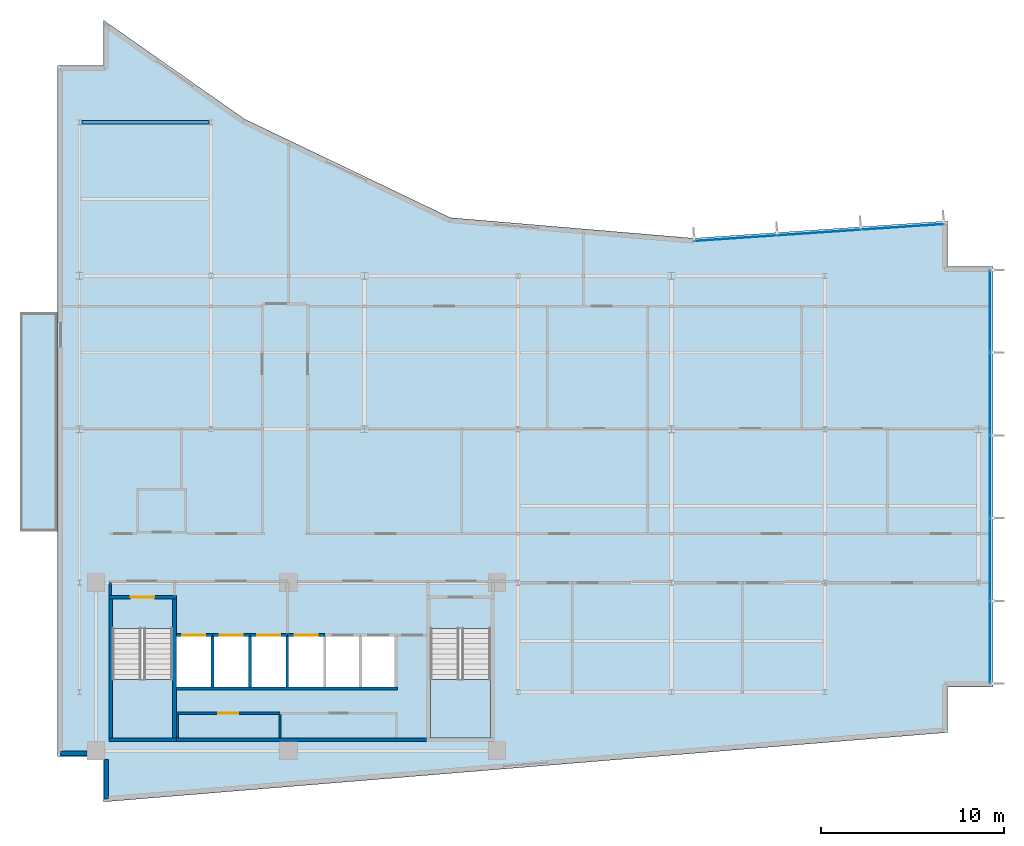
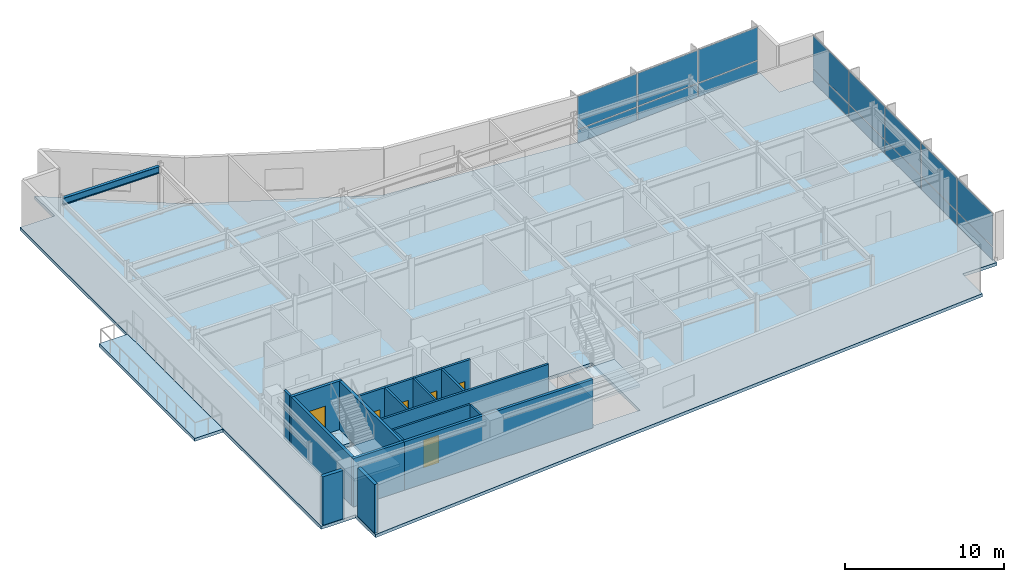
# One storey, part 9 of 15: 19 walls, 16 plates, 6 doors, 4 slabs, 1 beam, 6 openings, 4 elements without a shape of their own.
"""IFC4 building model written with IfcOpenShell, lengths in metres."""

from ifc_helpers import new_model, si_unit, direction, frame, frame_2d, origin, origin_2d, place, context, subcontext, project, spatial, polyline, rectangle, i_section, outline, extrude, material, layer, layer_set, material_profile, profile_set, type_object, element, fill, aggregate, save


model = new_model("IFC4")

# Units and contexts
model_context = context("Model", 3, precision=1e-05, world=origin(), true_north=direction((0.0, 1.0)))
body_context = subcontext(model_context, "Body", "Model", "MODEL_VIEW")
ifc_project = project(units=[si_unit("LENGTHUNIT", "METRE"), si_unit("AREAUNIT", "SQUARE_METRE"), si_unit("VOLUMEUNIT", "CUBIC_METRE"), si_unit("PLANEANGLEUNIT", "RADIAN"), si_unit("MASSUNIT", "GRAM", prefix="KILO")], contexts=[model_context])

# Site, building, storey
site_placement = place(None, origin())
site = spatial("IfcSite", under=ifc_project, at=site_placement, CompositionType="ELEMENT")
building_placement = place(site_placement, origin())
building = spatial("IfcBuilding", under=site, at=building_placement, Name="Varnakote Quay Hospital", CompositionType="ELEMENT")
storey_placement = place(building_placement, frame((0.0, 0.0, 207.89990234375)))
storey = spatial("IfcBuildingStorey", under=building, at=storey_placement, Name="L51", CompositionType="ELEMENT", Elevation=207.89990234375)

# Beam
ifc_material_1 = material(Name="Structural steel AS/NZS 3679.1 Grade 350 L0 (fy 340 MPa)", Category="steel")
ifc_material_profile = material_profile(ifc_material_1, i_section(OverallWidth=0.208984375, OverallDepth=0.532958984375, WebThickness=0.01025390625, FlangeThickness=0.015625, FilletRadius=0.013916015625, at=origin_2d()), Name="530UB92.4")
ifc_profile_set = profile_set([ifc_material_profile], Name="Structural steel AS/NZS 3679.1 Grade 350 L0 (fy 340 MPa)")
beam_type = type_object("IfcBeamType", Name="BM-STL-530UB92-4", PredefinedType="BEAM", material=ifc_profile_set)
beam_placement = place(storey_placement, frame((1.327880859375, 37.199951171875, 3.443603515625), z_axis=(1.0, 0.0, 0.0), x_axis=(0.0, 1.0, 0.0)))
element("IfcBeam", 1, at=beam_placement, inside=storey, type_object=beam_type, Name="L51 Primary Floor Beam", PredefinedType="BEAM", context=body_context, shape_type="SweptSolid", body=[
    extrude(i_section(OverallWidth=0.208984375, OverallDepth=0.532958984375, WebThickness=0.01025390625, FlangeThickness=0.015625, FilletRadius=0.013916015625, at=origin_2d()), origin(), (0.0, 0.0, 1.0), 6.944091796875),
])

# Curtain wall, plates
ifc_material_2 = material(Name="Anodised aluminium 6063-T6 Bronze", Category="aluminium")
ifc_layer_1 = layer(ifc_material_2, 0.219970703125)
ifc_layer_set_1 = layer_set([ifc_layer_1], Name="Anodised aluminium 6063-T6 Bronze")
curtain_wall_type = type_object("IfcCurtainWallType", Name="CW-SYS-4", PredefinedType="NOTDEFINED", material=ifc_layer_set_1)
curtain_wall_1_placement = place(storey_placement, origin())
curtain_wall_1 = element("IfcCurtainWall", 2, at=curtain_wall_1_placement, inside=storey, type_object=curtain_wall_type, Name="L51 Unitised Bronze Curtain Wall 1", PredefinedType="NOTDEFINED")
ifc_material_3 = material(Name="Double-glazed low-E solar glass", Category="glass")
ifc_layer_2 = layer(ifc_material_3, 0.028076171875)
ifc_layer_set_2 = layer_set([ifc_layer_2], Name="Double-glazed low-E solar glass")
plate_type = type_object("IfcPlateType", Name="CW-PNL-GLZ-28", PredefinedType="CURTAIN_PANEL", material=ifc_layer_set_2)
plate_1_placement = place(storey_placement, frame((51.0400390625, 8.744140625, 0.065185546875), z_axis=(0.0, 0.0, 1.0), x_axis=(0.0, 1.0, 0.0)))
plate_1 = element("IfcPlate", 3, at=plate_1_placement, type_object=plate_type, Name="-4-L51-1 panel 1.1", PredefinedType="CURTAIN_PANEL", context=body_context, shape_type="SweptSolid", body=[
    extrude(rectangle(XDim=4.4384765625, YDim=0.028076171875, at=origin_2d()), origin(), (0.0, 0.0, 1.0), 1.00244140625),
])
plate_2_placement = place(storey_placement, frame((51.0400390625, 8.744140625, 1.1328125), z_axis=(0.0, 0.0, 1.0), x_axis=(0.0, 1.0, 0.0)))
plate_2 = element("IfcPlate", 4, at=plate_2_placement, type_object=plate_type, Name="-4-L51-1 panel 1.2", PredefinedType="CURTAIN_PANEL", context=body_context, shape_type="SweptSolid", body=[
    extrude(rectangle(XDim=4.4384765625, YDim=0.028076171875, at=origin_2d()), origin(), (0.0, 0.0, 1.0), 2.512451171875),
])
plate_3_placement = place(storey_placement, frame((51.0400390625, 13.263916015625, 0.065185546875), z_axis=(0.0, 0.0, 1.0), x_axis=(0.0, 1.0, 0.0)))
plate_3 = element("IfcPlate", 5, at=plate_3_placement, type_object=plate_type, Name="-4-L51-1 panel 2.1", PredefinedType="CURTAIN_PANEL", context=body_context, shape_type="SweptSolid", body=[
    extrude(rectangle(XDim=4.470947265625, YDim=0.028076171875, at=origin_2d()), origin(), (0.0, 0.0, 1.0), 1.00244140625),
])
plate_4_placement = place(storey_placement, frame((51.0400390625, 13.263916015625, 1.1328125), z_axis=(0.0, 0.0, 1.0), x_axis=(0.0, 1.0, 0.0)))
plate_4 = element("IfcPlate", 6, at=plate_4_placement, type_object=plate_type, Name="-4-L51-1 panel 2.2", PredefinedType="CURTAIN_PANEL", context=body_context, shape_type="SweptSolid", body=[
    extrude(rectangle(XDim=4.470947265625, YDim=0.028076171875, at=origin_2d()), origin(), (0.0, 0.0, 1.0), 2.512451171875),
])
plate_5_placement = place(storey_placement, frame((51.0400390625, 17.800048828125, 0.065185546875), z_axis=(0.0, 0.0, 1.0), x_axis=(0.0, 1.0, 0.0)))
plate_5 = element("IfcPlate", 7, at=plate_5_placement, type_object=plate_type, Name="-4-L51-1 panel 3.1", PredefinedType="CURTAIN_PANEL", context=body_context, shape_type="SweptSolid", body=[
    extrude(rectangle(XDim=4.470947265625, YDim=0.028076171875, at=origin_2d()), origin(), (0.0, 0.0, 1.0), 1.00244140625),
])
plate_6_placement = place(storey_placement, frame((51.0400390625, 17.800048828125, 1.1328125), z_axis=(0.0, 0.0, 1.0), x_axis=(0.0, 1.0, 0.0)))
plate_6 = element("IfcPlate", 8, at=plate_6_placement, type_object=plate_type, Name="-4-L51-1 panel 3.2", PredefinedType="CURTAIN_PANEL", context=body_context, shape_type="SweptSolid", body=[
    extrude(rectangle(XDim=4.470947265625, YDim=0.028076171875, at=origin_2d()), origin(), (0.0, 0.0, 1.0), 2.512451171875),
])
plate_7_placement = place(storey_placement, frame((51.0400390625, 22.3359375, 0.065185546875), z_axis=(0.0, 0.0, 1.0), x_axis=(0.0, 1.0, 0.0)))
plate_7 = element("IfcPlate", 9, at=plate_7_placement, type_object=plate_type, Name="-4-L51-1 panel 4.1", PredefinedType="CURTAIN_PANEL", context=body_context, shape_type="SweptSolid", body=[
    extrude(rectangle(XDim=4.470947265625, YDim=0.028076171875, at=origin_2d()), origin(), (0.0, 0.0, 1.0), 1.00244140625),
])
plate_8_placement = place(storey_placement, frame((51.0400390625, 22.3359375, 1.1328125), z_axis=(0.0, 0.0, 1.0), x_axis=(0.0, 1.0, 0.0)))
plate_8 = element("IfcPlate", 10, at=plate_8_placement, type_object=plate_type, Name="-4-L51-1 panel 4.2", PredefinedType="CURTAIN_PANEL", context=body_context, shape_type="SweptSolid", body=[
    extrude(rectangle(XDim=4.470947265625, YDim=0.028076171875, at=origin_2d()), origin(), (0.0, 0.0, 1.0), 2.512451171875),
])
plate_9_placement = place(storey_placement, frame((51.0400390625, 26.855712890625, 0.065185546875), z_axis=(0.0, 0.0, 1.0), x_axis=(0.0, 1.0, 0.0)))
plate_9 = element("IfcPlate", 11, at=plate_9_placement, type_object=plate_type, Name="-4-L51-1 panel 5.1", PredefinedType="CURTAIN_PANEL", context=body_context, shape_type="SweptSolid", body=[
    extrude(rectangle(XDim=4.4384765625, YDim=0.028076171875, at=origin_2d()), origin(), (0.0, 0.0, 1.0), 1.00244140625),
])
plate_10_placement = place(storey_placement, frame((51.0400390625, 26.855712890625, 1.1328125), z_axis=(0.0, 0.0, 1.0), x_axis=(0.0, 1.0, 0.0)))
plate_10 = element("IfcPlate", 12, at=plate_10_placement, type_object=plate_type, Name="-4-L51-1 panel 5.2", PredefinedType="CURTAIN_PANEL", context=body_context, shape_type="SweptSolid", body=[
    extrude(rectangle(XDim=4.4384765625, YDim=0.028076171875, at=origin_2d()), origin(), (0.0, 0.0, 1.0), 2.512451171875),
])
aggregate(curtain_wall_1, [plate_1, plate_2, plate_3, plate_4, plate_5, plate_6, plate_7, plate_8, plate_9, plate_10])

curtain_wall_2_placement = place(storey_placement, origin())
curtain_wall_2 = element("IfcCurtainWall", 13, at=curtain_wall_2_placement, inside=storey, type_object=curtain_wall_type, Name="L51 Unitised Bronze Curtain Wall 2", PredefinedType="NOTDEFINED")
plate_11_placement = place(storey_placement, frame((46.236328125, 31.47216796875, 0.065185546875), z_axis=(0.0, 0.0, 1.0), x_axis=(-0.997696087615, -0.067841851077, 0.0)))
plate_11 = element("IfcPlate", 14, at=plate_11_placement, type_object=plate_type, Name="-4-L51-2 panel 1.1", PredefinedType="CURTAIN_PANEL", context=body_context, shape_type="SweptSolid", body=[
    extrude(rectangle(XDim=4.48828125, YDim=0.028076171875, at=origin_2d()), origin(), (0.0, 0.0, 1.0), 1.00244140625),
])
plate_12_placement = place(storey_placement, frame((46.236328125, 31.47216796875, 1.1328125), z_axis=(0.0, 0.0, 1.0), x_axis=(-0.997696087615, -0.067841851077, 0.0)))
plate_12 = element("IfcPlate", 15, at=plate_12_placement, type_object=plate_type, Name="-4-L51-2 panel 1.2", PredefinedType="CURTAIN_PANEL", context=body_context, shape_type="SweptSolid", body=[
    extrude(rectangle(XDim=4.48828125, YDim=0.028076171875, at=origin_2d()), origin(), (0.0, 0.0, 1.0), 2.512451171875),
])
plate_13_placement = place(storey_placement, frame((41.67724609375, 31.162109375, 0.065185546875), z_axis=(0.0, 0.0, 1.0), x_axis=(-0.997696087615, -0.067841851077, 0.0)))
plate_13 = element("IfcPlate", 16, at=plate_13_placement, type_object=plate_type, Name="-4-L51-2 panel 2.1", PredefinedType="CURTAIN_PANEL", context=body_context, shape_type="SweptSolid", body=[
    extrude(rectangle(XDim=4.520751953125, YDim=0.028076171875, at=origin_2d()), origin(), (0.0, 0.0, 1.0), 1.00244140625),
])
plate_14_placement = place(storey_placement, frame((41.67724609375, 31.162109375, 1.1328125), z_axis=(0.0, 0.0, 1.0), x_axis=(-0.997696087615, -0.067841851077, 0.0)))
plate_14 = element("IfcPlate", 17, at=plate_14_placement, type_object=plate_type, Name="-4-L51-2 panel 2.2", PredefinedType="CURTAIN_PANEL", context=body_context, shape_type="SweptSolid", body=[
    extrude(rectangle(XDim=4.520751953125, YDim=0.028076171875, at=origin_2d()), origin(), (0.0, 0.0, 1.0), 2.512451171875),
])
plate_15_placement = place(storey_placement, frame((37.118408203125, 30.85205078125, 0.065185546875), z_axis=(0.0, 0.0, 1.0), x_axis=(-0.997696087615, -0.067841851077, 0.0)))
plate_15 = element("IfcPlate", 18, at=plate_15_placement, type_object=plate_type, Name="-4-L51-2 panel 3.1", PredefinedType="CURTAIN_PANEL", context=body_context, shape_type="SweptSolid", body=[
    extrude(rectangle(XDim=4.48828125, YDim=0.028076171875, at=origin_2d()), origin(), (0.0, 0.0, 1.0), 1.00244140625),
])
plate_16_placement = place(storey_placement, frame((37.118408203125, 30.85205078125, 1.1328125), z_axis=(0.0, 0.0, 1.0), x_axis=(-0.997696087615, -0.067841851077, 0.0)))
plate_16 = element("IfcPlate", 19, at=plate_16_placement, type_object=plate_type, Name="-4-L51-2 panel 3.2", PredefinedType="CURTAIN_PANEL", context=body_context, shape_type="SweptSolid", body=[
    extrude(rectangle(XDim=4.48828125, YDim=0.028076171875, at=origin_2d()), origin(), (0.0, 0.0, 1.0), 2.512451171875),
])
aggregate(curtain_wall_2, [plate_11, plate_12, plate_13, plate_14, plate_15, plate_16])

# Stair, slab
ifc_material_4 = material(Name="Concrete N40 (f'c 40 MPa)", Category="concrete")
stair_type = type_object("IfcStairType", Name="STR-CORE-1580", PredefinedType="HALF_TURN_STAIR", material=ifc_material_4)
stair_1_placement = place(storey_placement, origin())
stair_1 = element("IfcStair", 20, at=stair_1_placement, inside=storey, type_object=stair_type, Name="L51 Fire-Isolated Exit Stair ST-01", PredefinedType="HALF_TURN_STAIR")
ifc_material_5 = material(Name="Concrete N40 (f'c 40 MPa)", Category="concrete")
ifc_layer_3 = layer(ifc_material_5, 0.199951171875)
ifc_layer_set_3 = layer_set([ifc_layer_3], Name="Concrete N40 (f'c 40 MPa)")
slab_type_1 = type_object("IfcSlabType", Name="SLB-STAIR-LND-200", PredefinedType="LANDING", material=ifc_layer_set_3)
slab_1_placement = place(storey_placement, frame((0.0, 0.0, 1.775146484375)))
slab_1 = element("IfcSlab", 21, at=slab_1_placement, type_object=slab_type_1, Name="ST-01 landing 1", PredefinedType="LANDING", context=body_context, shape_type="SweptSolid", body=[
    extrude(outline(polyline([(3.0, 6.699951171875), (3.0, 3.5), (6.300048828125, 3.5), (6.300048828125, 6.699951171875), (3.0, 6.699951171875)])), origin(), (0.0, 0.0, 1.0), 0.199951171875),
])
aggregate(stair_1, [slab_1])

stair_2_placement = place(storey_placement, origin())
stair_2 = element("IfcStair", 22, at=stair_2_placement, inside=storey, type_object=stair_type, Name="L51 Fire-Isolated Exit Stair ST-02", PredefinedType="HALF_TURN_STAIR")
slab_2_placement = place(storey_placement, frame((0.0, 0.0, 1.775146484375)))
slab_2 = element("IfcSlab", 23, at=slab_2_placement, type_object=slab_type_1, Name="ST-02 landing 1", PredefinedType="LANDING", context=body_context, shape_type="SweptSolid", body=[
    extrude(outline(polyline([(20.39990234375, 6.699951171875), (20.39990234375, 3.5), (23.699951171875, 3.5), (23.699951171875, 6.699951171875), (20.39990234375, 6.699951171875)])), origin(), (0.0, 0.0, 1.0), 0.199951171875),
])
aggregate(stair_2, [slab_2])

# Slabs
ifc_material_6 = material(Name="Concrete N50 (f'c 50 MPa)", Category="concrete")
ifc_layer_4 = layer(ifc_material_6, 0.239990234375)
ifc_layer_set_4 = layer_set([ifc_layer_4], Name="Concrete N50 (f'c 50 MPa)")
slab_type_2 = type_object("IfcSlabType", Name="SLB-TERR-200", PredefinedType="FLOOR", material=ifc_layer_set_4)
slab_3_placement = place(storey_placement, frame((0.0, 0.0, -0.239990234375)))
element("IfcSlab", 24, at=slab_3_placement, inside=storey, type_object=slab_type_2, Name="L51 Waterfront Healing Terrace Slab", PredefinedType="FLOOR", context=body_context, shape_type="SweptSolid", body=[
    extrude(outline(polyline([(0.00390625, 14.800048828125), (0.00390625, 26.800048828125), (-2.06005859375, 26.800048828125), (-2.06005859375, 14.800048828125), (0.00390625, 14.800048828125)])), origin(), (0.0, 0.0, 1.0), 0.239990234375),
])
ifc_material_7 = material(Name="Concrete N50 (f'c 50 MPa)", Category="concrete")
ifc_layer_5 = layer(ifc_material_7, 0.239990234375)
ifc_layer_set_5 = layer_set([ifc_layer_5], Name="Concrete N50 (f'c 50 MPa)")
slab_type_3 = type_object("IfcSlabType", Name="SLB-WARD-200", PredefinedType="FLOOR", material=ifc_layer_set_5)
slab_4_placement = place(storey_placement, frame((0.0, 0.0, -0.239990234375)))
element("IfcSlab", 25, at=slab_4_placement, inside=storey, type_object=slab_type_3, Name="L51 Primary Floor Slab", PredefinedType="FLOOR", context=body_context, shape_type="SweptSolid", body=[
    extrude(outline(polyline([(0.0, 2.5), (2.5, 2.5), (2.5, 0.0), (48.699951171875, 3.800048828125), (48.699951171875, 6.300048828125), (51.199951171875, 6.300048828125), (51.199951171875, 29.300048828125), (48.699951171875, 29.300048828125), (48.699951171875, 31.800048828125), (34.81591796875, 30.85595703125), (21.50390625, 31.97998046875), (10.239990234375, 37.3759765625), (2.5, 42.800048828125), (2.5, 40.300048828125), (0.0, 40.300048828125), (0.0, 2.5)]), holes=[polyline([(3.0, 3.5), (6.300048828125, 3.5), (6.300048828125, 9.49951171875), (3.0, 9.49951171875), (3.0, 3.5)]), polyline([(20.39990234375, 3.5), (23.699951171875, 3.5), (23.699951171875, 9.49951171875), (20.39990234375, 9.49951171875), (20.39990234375, 3.5)]), polyline([(6.5, 6.300048828125), (8.39990234375, 6.300048828125), (8.39990234375, 9.050048828125), (6.5, 9.050048828125), (6.5, 6.300048828125)]), polyline([(8.550048828125, 6.300048828125), (10.449951171875, 6.300048828125), (10.449951171875, 9.050048828125), (8.550048828125, 9.050048828125), (8.550048828125, 6.300048828125)]), polyline([(10.60009765625, 6.300048828125), (12.5, 6.300048828125), (12.5, 9.050048828125), (10.60009765625, 9.050048828125), (10.60009765625, 6.300048828125)]), polyline([(12.64990234375, 6.300048828125), (14.550048828125, 6.300048828125), (14.550048828125, 9.050048828125), (12.64990234375, 9.050048828125), (12.64990234375, 6.300048828125)]), polyline([(14.699951171875, 6.300048828125), (16.5, 6.300048828125), (16.5, 9.050048828125), (14.699951171875, 9.050048828125), (14.699951171875, 6.300048828125)]), polyline([(16.64990234375, 6.300048828125), (18.449951171875, 6.300048828125), (18.449951171875, 9.050048828125), (16.64990234375, 9.050048828125), (16.64990234375, 6.300048828125)])]), origin(), (0.0, 0.0, 1.0), 0.239990234375),
])

# Walls
ifc_material_8 = material(Name="Fire-rated acoustic gypsum stud wall", Category="gypsum")
ifc_layer_6 = layer(ifc_material_8, 0.159912109375)
ifc_layer_set_6 = layer_set([ifc_layer_6], Name="Fire-rated acoustic gypsum stud wall")
wall_type_1 = type_object("IfcWallType", Name="WL-COMP-160", PredefinedType="PARTITIONING", material=ifc_layer_set_6)
wall_1_placement = place(storey_placement, frame((2.8798828125, 11.300048828125, 0.0), z_axis=(0.0, 0.0, 1.0), x_axis=(0.0, 1.0, 0.0)))
element("IfcWall", 26, at=wall_1_placement, inside=storey, type_object=wall_type_1, Name="L51 West Stair Vestibule West Wall", PredefinedType="PARTITIONING", context=body_context, shape_type="SweptSolid", body=[
    extrude(rectangle(XDim=0.699951171875, YDim=0.159912109375, at=frame_2d((0.35009765625, 0.0))), origin(), (0.0, 0.0, 1.0), 3.710205078125),
])
ifc_material_9 = material(Name="Concrete N50 (f'c 50 MPa)", Category="concrete")
ifc_layer_7 = layer(ifc_material_9, 0.199951171875)
ifc_layer_set_7 = layer_set([ifc_layer_7], Name="Concrete N50 (f'c 50 MPa)")
wall_type_2 = type_object("IfcWallType", Name="WL-CORE-N50-200", PredefinedType="SHEAR", material=ifc_layer_set_7)
wall_2_placement = place(storey_placement, frame((6.5, 3.39990234375, 0.0), z_axis=(0.0, 0.0, 1.0), x_axis=(1.0, 0.0, 0.0)))
element("IfcWall", 27, at=wall_2_placement, inside=storey, type_object=wall_type_2, Name="L51 Rear Core South Shear Wall", PredefinedType="SHEAR", context=body_context, shape_type="SweptSolid", body=[
    extrude(rectangle(XDim=13.699951171875, YDim=0.199951171875, at=frame_2d((6.85009765625, 0.0))), origin(), (0.0, 0.0, 1.0), 3.710205078125),
])
ifc_material_10 = material(Name="Precast concrete N50 (f'c 50 MPa)", Category="concrete")
ifc_layer_8 = layer(ifc_material_10, 0.260009765625)
ifc_layer_set_8 = layer_set([ifc_layer_8], Name="Precast concrete N50 (f'c 50 MPa)")
wall_type_3 = type_object("IfcWallType", Name="WL-EXT-BRICK-260", PredefinedType="STANDARD", material=ifc_layer_set_8)
wall_3_placement = place(storey_placement, frame((2.659912109375, 2.31494140625, 0.0), z_axis=(0.0, 0.0, 1.0), x_axis=(0.0, -1.0, 0.0)))
element("IfcWall", 28, at=wall_3_placement, inside=storey, type_object=wall_type_3, Name="L51 Brick-Faced Precast Exterior Wall", PredefinedType="STANDARD", context=body_context, shape_type="SweptSolid", body=[
    extrude(rectangle(XDim=2.141357421875, YDim=0.260009765625, at=frame_2d((1.07080078125, 0.0))), origin(), (0.0, 0.0, 1.0), 3.710205078125),
])
wall_4_placement = place(storey_placement, frame((0.159912109375, 2.659912109375, 0.0), z_axis=(0.0, 0.0, 1.0), x_axis=(1.0, 0.0, 0.0)))
element("IfcWall", 29, at=wall_4_placement, inside=storey, type_object=wall_type_3, Name="L51 Brick-Faced Precast Exterior Wall", PredefinedType="STANDARD", context=body_context, shape_type="SweptSolid", body=[
    extrude(rectangle(XDim=1.455078125, YDim=0.260009765625, at=frame_2d((0.7275390625, 0.0))), origin(), (0.0, 0.0, 1.0), 3.710205078125),
])
ifc_material_11 = material(Name="Concrete N50 (f'c 50 MPa)", Category="concrete")
ifc_layer_9 = layer(ifc_material_11, 0.14990234375)
ifc_layer_set_9 = layer_set([ifc_layer_9], Name="Concrete N50 (f'c 50 MPa)")
wall_type_4 = type_object("IfcWallType", Name="WL-SHAFT-N50-150", PredefinedType="SHEAR", material=ifc_layer_set_9)
for number, where, z_axis, x_axis, name in (
    (30, (8.47509765625, 6.300048828125, 0.0), (0.0, 0.0, 1.0), (0.0, 1.0, 0.0), "L51 LF-FF1 Hoistway Divider Wall"),
    (31, (10.52490234375, 6.300048828125, 0.0), (0.0, 0.0, 1.0), (0.0, 1.0, 0.0), "L51 LF-FF2 Hoistway Divider Wall"),
    (32, (12.574951171875, 6.300048828125, 0.0), (0.0, 0.0, 1.0), (0.0, 1.0, 0.0), "L51 LF-SV1 Hoistway Divider Wall"),
):
    element("IfcWall", number, at=place(storey_placement, frame(where, z_axis=z_axis, x_axis=x_axis)), inside=storey, type_object=wall_type_4, Name=name, PredefinedType="SHEAR", context=body_context, shape_type="SweptSolid", body=[
        extrude(rectangle(XDim=2.75, YDim=0.14990234375, at=frame_2d((1.375, 0.0))), origin(), (0.0, 0.0, 1.0), 3.710205078125),
    ])
ifc_material_12 = material(Name="Concrete N50 (f'c 50 MPa)", Category="concrete")
ifc_layer_10 = layer(ifc_material_12, 0.159912109375)
ifc_layer_set_10 = layer_set([ifc_layer_10], Name="Concrete N50 (f'c 50 MPa)")
wall_type_5 = type_object("IfcWallType", Name="WL-SHAFT-N50-160", PredefinedType="SHEAR", material=ifc_layer_set_10)
wall_5_placement = place(storey_placement, frame((6.5, 6.219970703125, 0.0), z_axis=(0.0, 0.0, 1.0), x_axis=(1.0, 0.0, 0.0)))
element("IfcWall", 33, at=wall_5_placement, inside=storey, type_object=wall_type_5, Name="L51 REAR Lift Bank Back Shear Wall", PredefinedType="SHEAR", context=body_context, shape_type="SweptSolid", body=[
    extrude(rectangle(XDim=12.110107421875, YDim=0.159912109375, at=frame_2d((6.05517578125, 0.0))), origin(), (0.0, 0.0, 1.0), 3.710205078125),
])

# Wall, opening, door
wall_6_placement = place(storey_placement, frame((6.5, 9.1298828125, 0.0), z_axis=(0.0, 0.0, 1.0), x_axis=(1.0, 0.0, 0.0)))
wall_6 = element("IfcWall", 34, at=wall_6_placement, inside=storey, type_object=wall_type_5, Name="L51 LF-FF1 Hoistway Front Wall", PredefinedType="SHEAR", context=body_context, shape_type="SweptSolid", body=[
    extrude(rectangle(XDim=1.97509765625, YDim=0.159912109375, at=frame_2d((0.987548828125, 0.0))), origin(), (0.0, 0.0, 1.0), 3.710205078125),
])
opening_1_placement = place(wall_6_placement, frame((0.324951171875, 0.0, 0.0)))
opening_1 = element("IfcOpeningElement", 35, at=opening_1_placement, cuts=wall_6, Name="Opening LD-FF1-L51", PredefinedType="OPENING", context=body_context, shape_type="SweptSolid", body=[
    extrude(rectangle(XDim=1.25, YDim=2.14990234375, at=frame_2d((0.625, 1.074951171875))), frame((0.0, 0.08984375, 0.0), z_axis=(0.0, -1.0, 0.0), x_axis=(1.0, 0.0, 0.0)), (0.0, 0.0, 1.0), 0.179931640625),
])
ifc_material_13 = material(Name="Stainless steel lift landing sliding door", Category="steel")
door_type_1 = type_object("IfcDoorType", Name="DR-LIFT-LD-1250x2150", OperationType="NOTDEFINED", PredefinedType="DOOR", material=ifc_material_13)
door_1_placement = place(opening_1_placement, origin())
door_1 = element("IfcDoor", 36, at=door_1_placement, inside=storey, type_object=door_type_1, Name="L51 LF-FF1 Lift Landing Sliding Door", OperationType="SLIDING_TO_LEFT", OverallHeight=2.14990234375, OverallWidth=1.25, PredefinedType="DOOR", context=body_context, shape_type="SweptSolid", body=[
    extrude(rectangle(XDim=1.25, YDim=2.14990234375, at=frame_2d((0.625, 1.074951171875))), frame((0.0, 0.02490234375, 0.0), z_axis=(0.0, -1.0, 0.0), x_axis=(1.0, 0.0, 0.0)), (0.0, 0.0, 1.0), 0.050048828125),
])
fill(opening_1, door_1)

wall_7_placement = place(storey_placement, frame((8.47509765625, 9.1298828125, 0.0), z_axis=(0.0, 0.0, 1.0), x_axis=(1.0, 0.0, 0.0)))
wall_7 = element("IfcWall", 37, at=wall_7_placement, inside=storey, type_object=wall_type_5, Name="L51 LF-FF2 Hoistway Front Wall", PredefinedType="SHEAR", context=body_context, shape_type="SweptSolid", body=[
    extrude(rectangle(XDim=2.0498046875, YDim=0.159912109375, at=frame_2d((1.02490234375, 0.0))), origin(), (0.0, 0.0, 1.0), 3.710205078125),
])
opening_2_placement = place(wall_7_placement, frame((0.39990234375, 0.0, 0.0)))
opening_2 = element("IfcOpeningElement", 38, at=opening_2_placement, cuts=wall_7, Name="Opening LD-FF2-L51", PredefinedType="OPENING", context=body_context, shape_type="SweptSolid", body=[
    extrude(rectangle(XDim=1.25, YDim=2.14990234375, at=frame_2d((0.625, 1.074951171875))), frame((0.0, 0.08984375, 0.0), z_axis=(0.0, -1.0, 0.0), x_axis=(1.0, 0.0, 0.0)), (0.0, 0.0, 1.0), 0.179931640625),
])
door_2_placement = place(opening_2_placement, origin())
door_2 = element("IfcDoor", 39, at=door_2_placement, inside=storey, type_object=door_type_1, Name="L51 LF-FF2 Lift Landing Sliding Door", OperationType="SLIDING_TO_LEFT", OverallHeight=2.14990234375, OverallWidth=1.25, PredefinedType="DOOR", context=body_context, shape_type="SweptSolid", body=[
    extrude(rectangle(XDim=1.25, YDim=2.14990234375, at=frame_2d((0.625, 1.074951171875))), frame((0.0, 0.02490234375, 0.0), z_axis=(0.0, -1.0, 0.0), x_axis=(1.0, 0.0, 0.0)), (0.0, 0.0, 1.0), 0.050048828125),
])
fill(opening_2, door_2)

wall_8_placement = place(storey_placement, frame((10.52490234375, 9.1298828125, 0.0), z_axis=(0.0, 0.0, 1.0), x_axis=(1.0, 0.0, 0.0)))
wall_8 = element("IfcWall", 40, at=wall_8_placement, inside=storey, type_object=wall_type_5, Name="L51 LF-SV1 Hoistway Front Wall", PredefinedType="SHEAR", context=body_context, shape_type="SweptSolid", body=[
    extrude(rectangle(XDim=2.050048828125, YDim=0.159912109375, at=frame_2d((1.02490234375, 0.0))), origin(), (0.0, 0.0, 1.0), 3.710205078125),
])
opening_3_placement = place(wall_8_placement, frame((0.39990234375, 0.0, 0.0)))
opening_3 = element("IfcOpeningElement", 41, at=opening_3_placement, cuts=wall_8, Name="Opening LD-SV1-L51", PredefinedType="OPENING", context=body_context, shape_type="SweptSolid", body=[
    extrude(rectangle(XDim=1.25, YDim=2.14990234375, at=frame_2d((0.625, 1.074951171875))), frame((0.0, 0.08984375, 0.0), z_axis=(0.0, -1.0, 0.0), x_axis=(1.0, 0.0, 0.0)), (0.0, 0.0, 1.0), 0.179931640625),
])
door_3_placement = place(opening_3_placement, origin())
door_3 = element("IfcDoor", 42, at=door_3_placement, inside=storey, type_object=door_type_1, Name="L51 LF-SV1 Lift Landing Sliding Door", OperationType="SLIDING_TO_LEFT", OverallHeight=2.14990234375, OverallWidth=1.25, PredefinedType="DOOR", context=body_context, shape_type="SweptSolid", body=[
    extrude(rectangle(XDim=1.25, YDim=2.14990234375, at=frame_2d((0.625, 1.074951171875))), frame((0.0, 0.02490234375, 0.0), z_axis=(0.0, -1.0, 0.0), x_axis=(1.0, 0.0, 0.0)), (0.0, 0.0, 1.0), 0.050048828125),
])
fill(opening_3, door_3)

wall_9_placement = place(storey_placement, frame((12.574951171875, 9.1298828125, 0.0), z_axis=(0.0, 0.0, 1.0), x_axis=(1.0, 0.0, 0.0)))
wall_9 = element("IfcWall", 43, at=wall_9_placement, inside=storey, type_object=wall_type_5, Name="L51 LF-SV2 Hoistway Front Wall", PredefinedType="SHEAR", context=body_context, shape_type="SweptSolid", body=[
    extrude(rectangle(XDim=2.050048828125, YDim=0.159912109375, at=frame_2d((1.02490234375, 0.0))), origin(), (0.0, 0.0, 1.0), 3.710205078125),
])
opening_4_placement = place(wall_9_placement, frame((0.39990234375, 0.0, 0.0)))
opening_4 = element("IfcOpeningElement", 44, at=opening_4_placement, cuts=wall_9, Name="Opening LD-SV2-L51", PredefinedType="OPENING", context=body_context, shape_type="SweptSolid", body=[
    extrude(rectangle(XDim=1.25, YDim=2.14990234375, at=frame_2d((0.625, 1.074951171875))), frame((0.0, 0.08984375, 0.0), z_axis=(0.0, -1.0, 0.0), x_axis=(1.0, 0.0, 0.0)), (0.0, 0.0, 1.0), 0.179931640625),
])
door_4_placement = place(opening_4_placement, origin())
door_4 = element("IfcDoor", 45, at=door_4_placement, inside=storey, type_object=door_type_1, Name="L51 LF-SV2 Lift Landing Sliding Door", OperationType="SLIDING_TO_LEFT", OverallHeight=2.14990234375, OverallWidth=1.25, PredefinedType="DOOR", context=body_context, shape_type="SweptSolid", body=[
    extrude(rectangle(XDim=1.25, YDim=2.14990234375, at=frame_2d((0.625, 1.074951171875))), frame((0.0, 0.02490234375, 0.0), z_axis=(0.0, -1.0, 0.0), x_axis=(1.0, 0.0, 0.0)), (0.0, 0.0, 1.0), 0.050048828125),
])
fill(opening_4, door_4)

# Walls
ifc_material_14 = material(Name="Concrete N50 (f'c 50 MPa)", Category="concrete")
ifc_layer_11 = layer(ifc_material_14, 0.199951171875)
ifc_layer_set_11 = layer_set([ifc_layer_11], Name="Concrete N50 (f'c 50 MPa)")
wall_type_6 = type_object("IfcWallType", Name="WL-SHAFT-N50-200", PredefinedType="SHEAR", material=ifc_layer_set_11)
wall_10_placement = place(storey_placement, frame((2.800048828125, 3.39990234375, 0.0), z_axis=(0.0, 0.0, 1.0), x_axis=(1.0, 0.0, 0.0)))
element("IfcWall", 46, at=wall_10_placement, inside=storey, type_object=wall_type_6, Name="L51 Stair ST1 South Shaft Wall", PredefinedType="SHEAR", context=body_context, shape_type="SweptSolid", body=[
    extrude(rectangle(XDim=3.699951171875, YDim=0.199951171875, at=frame_2d((1.85009765625, 0.0))), origin(), (0.0, 0.0, 1.0), 3.710205078125),
])
for number, where, z_axis, x_axis, name in (
    (47, (2.89990234375, 3.5, 0.0), (0.0, 0.0, 1.0), (0.0, 1.0, 0.0), "L51 Stair ST1 West Shaft Wall"),
    (48, (6.39990234375, 3.5, 0.0), (0.0, 0.0, 1.0), (0.0, 1.0, 0.0), "L51 Stair ST1 East Shaft Wall"),
):
    element("IfcWall", number, at=place(storey_placement, frame(where, z_axis=z_axis, x_axis=x_axis)), inside=storey, type_object=wall_type_6, Name=name, PredefinedType="SHEAR", context=body_context, shape_type="SweptSolid", body=[
        extrude(rectangle(XDim=7.60009765625, YDim=0.199951171875, at=frame_2d((3.800048828125, 0.0))), origin(), (0.0, 0.0, 1.0), 3.710205078125),
    ])

# Wall, opening, door
wall_11_placement = place(storey_placement, frame((2.800048828125, 11.199951171875, 0.0), z_axis=(0.0, 0.0, 1.0), x_axis=(1.0, 0.0, 0.0)))
wall_11 = element("IfcWall", 49, at=wall_11_placement, inside=storey, type_object=wall_type_6, Name="L51 Stair ST1 Exit Wall", PredefinedType="SHEAR", context=body_context, shape_type="SweptSolid", body=[
    extrude(rectangle(XDim=3.699951171875, YDim=0.199951171875, at=frame_2d((1.85009765625, 0.0))), origin(), (0.0, 0.0, 1.0), 3.710205078125),
])
opening_5_placement = place(wall_11_placement, frame((1.199951171875, 0.0, 0.0)))
opening_5 = element("IfcOpeningElement", 50, at=opening_5_placement, cuts=wall_11, Name="Opening D-ST1-L51", PredefinedType="OPENING", context=body_context, shape_type="SweptSolid", body=[
    extrude(rectangle(XDim=1.300048828125, YDim=2.14990234375, at=frame_2d((0.64990234375, 1.074951171875))), frame((0.0, 0.10986328125, 0.0), z_axis=(0.0, -1.0, 0.0), x_axis=(1.0, 0.0, 0.0)), (0.0, 0.0, 1.0), 0.219970703125),
])
ifc_material_15 = material(Name="Fire-rated ceramic-glazed timber exit door", Category="wood")
door_type_2 = type_object("IfcDoorType", Name="DR-STAIR-FD60S-1300x2150", OperationType="NOTDEFINED", PredefinedType="DOOR", material=ifc_material_15)
door_5_placement = place(opening_5_placement, origin())
door_5 = element("IfcDoor", 51, at=door_5_placement, inside=storey, type_object=door_type_2, Name="L51 Stair ST1 Fire Exit Door", OperationType="SINGLE_SWING_RIGHT", OverallHeight=2.14990234375, OverallWidth=1.300048828125, PredefinedType="DOOR", context=body_context, shape_type="SweptSolid", body=[
    extrude(rectangle(XDim=1.300048828125, YDim=2.14990234375, at=frame_2d((0.64990234375, 1.074951171875))), frame((0.0, 0.02490234375, 0.0), z_axis=(0.0, -1.0, 0.0), x_axis=(1.0, 0.0, 0.0)), (0.0, 0.0, 1.0), 0.050048828125),
])
fill(opening_5, door_5)

# Walls
ifc_material_16 = material(Name="Smoke-proof clinical partition", Category="gypsum")
ifc_layer_12 = layer(ifc_material_16, 0.1201171875)
ifc_layer_set_12 = layer_set([ifc_layer_12], Name="Smoke-proof clinical partition")
wall_type_7 = type_object("IfcWallType", Name="WL-SMOKE-120", PredefinedType="PARTITIONING", material=ifc_layer_set_12)
for number, where, z_axis, x_axis, name in (
    (52, (6.56005859375, 3.52001953125, 0.0), (0.0, 0.0, 1.0), (0.0, 1.0, 0.0), "L51 Core South Service West Wall"),
    (53, (12.169921875, 3.52001953125, 0.0), (0.0, 0.0, 1.0), (0.0, 1.0, 0.0), "L51 Core South Service Divider"),
):
    element("IfcWall", number, at=place(storey_placement, frame(where, z_axis=z_axis, x_axis=x_axis)), inside=storey, type_object=wall_type_7, Name=name, PredefinedType="PARTITIONING", context=body_context, shape_type="SweptSolid", body=[
        extrude(rectangle(XDim=1.260009765625, YDim=0.1201171875, at=frame_2d((0.6298828125, 0.0))), origin(), (0.0, 0.0, 1.0), 3.710205078125),
    ])

# Wall, opening, door
ifc_material_17 = material(Name="Fire-rated clinical gypsum partition", Category="gypsum")
ifc_layer_13 = layer(ifc_material_17, 0.139892578125)
ifc_layer_set_13 = layer_set([ifc_layer_13], Name="Fire-rated clinical gypsum partition")
wall_type_8 = type_object("IfcWallType", Name="WL-WARD-140", PredefinedType="PARTITIONING", material=ifc_layer_set_13)
wall_12_placement = place(storey_placement, frame((6.5, 4.85009765625, 0.0), z_axis=(0.0, 0.0, 1.0), x_axis=(1.0, 0.0, 0.0)))
wall_12 = element("IfcWall", 54, at=wall_12_placement, inside=storey, type_object=wall_type_8, Name="L51 Core Clean Linen Store North Wall", PredefinedType="PARTITIONING", context=body_context, shape_type="SweptSolid", body=[
    extrude(rectangle(XDim=5.669921875, YDim=0.139892578125, at=frame_2d((2.8349609375, 0.0))), origin(), (0.0, 0.0, 1.0), 3.710205078125),
])
opening_6_placement = place(wall_12_placement, frame((2.284912109375, 0.0, 0.0)))
opening_6 = element("IfcOpeningElement", 55, at=opening_6_placement, cuts=wall_12, Name="Opening D-L51-CR01", PredefinedType="OPENING", context=body_context, shape_type="SweptSolid", body=[
    extrude(rectangle(XDim=1.10009765625, YDim=2.10009765625, at=frame_2d((0.550048828125, 1.050048828125))), frame((0.0, 0.079833984375, 0.0), z_axis=(0.0, -1.0, 0.0), x_axis=(1.0, 0.0, 0.0)), (0.0, 0.0, 1.0), 0.159912109375),
])
ifc_material_18 = material(Name="Acoustic timber clinical consult door", Category="wood")
door_type_3 = type_object("IfcDoorType", Name="DR-CLIN-FD30S-1100x2100", OperationType="NOTDEFINED", PredefinedType="DOOR", material=ifc_material_18)
door_6_placement = place(opening_6_placement, origin())
door_6 = element("IfcDoor", 56, at=door_6_placement, inside=storey, type_object=door_type_3, Name="L51 Core Clean Linen Store Door", OperationType="SINGLE_SWING_RIGHT", OverallHeight=2.10009765625, OverallWidth=1.10009765625, PredefinedType="DOOR", context=body_context, shape_type="SweptSolid", body=[
    extrude(rectangle(XDim=1.10009765625, YDim=2.10009765625, at=frame_2d((0.550048828125, 1.050048828125))), frame((0.0, 0.02490234375, 0.0), z_axis=(0.0, -1.0, 0.0), x_axis=(1.0, 0.0, 0.0)), (0.0, 0.0, 1.0), 0.050048828125),
])
fill(opening_6, door_6)

save(model, "model.ifc")
